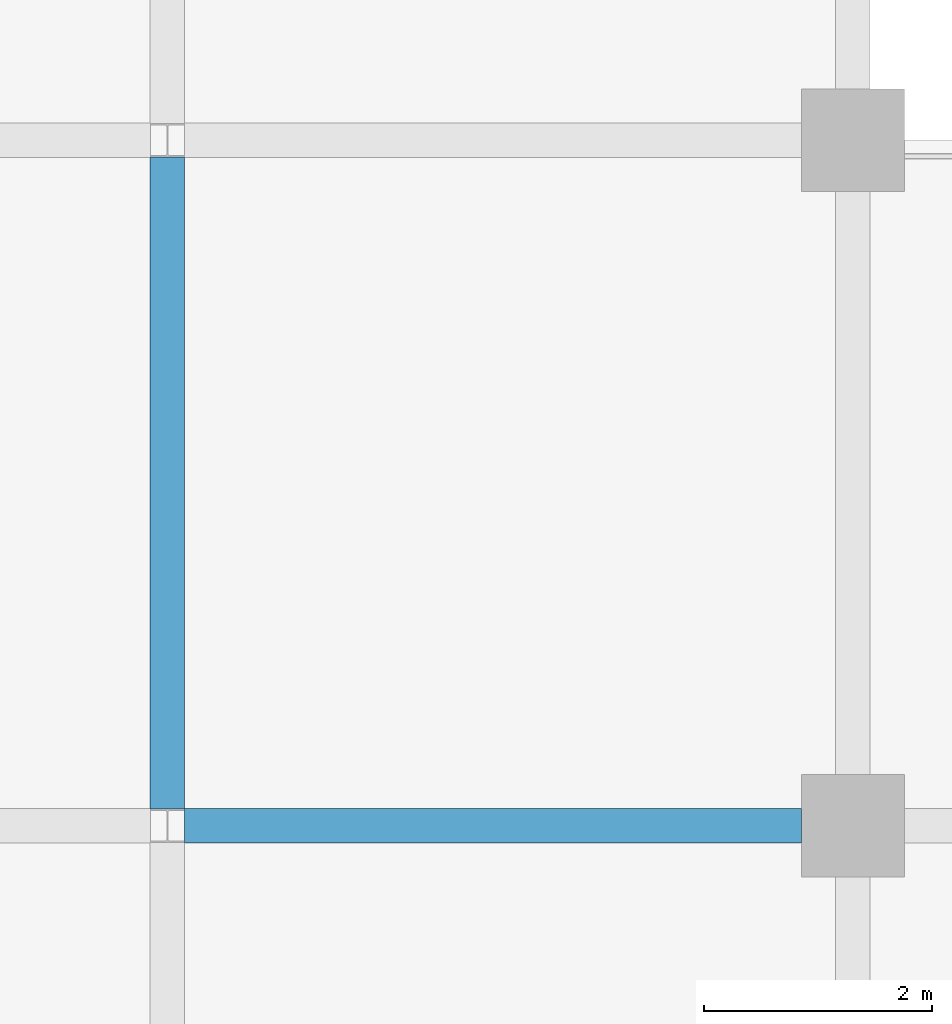
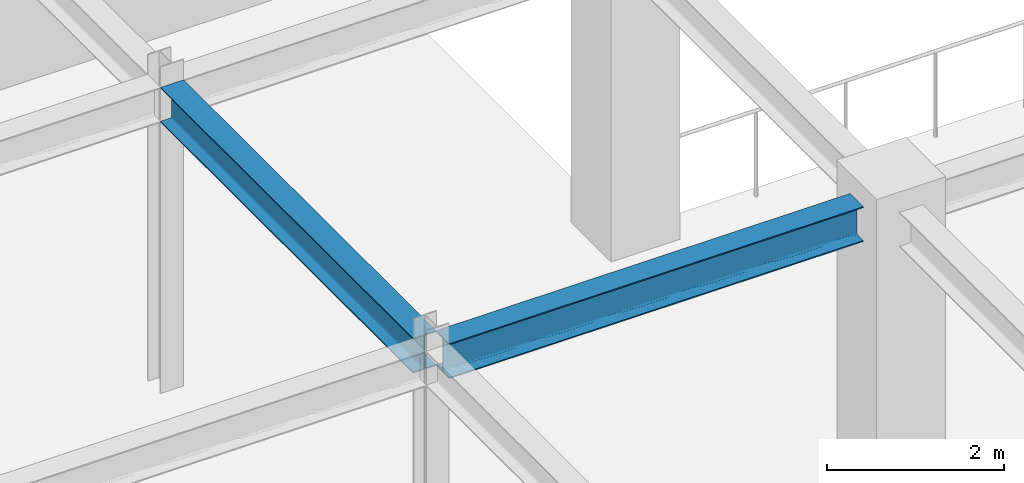
# One storey, part 47 of 108: 2 beams.
"""IFC4 building model written with IfcOpenShell, lengths in metres."""

from ifc_helpers import new_model, si_unit, direction, frame, origin, origin_2d, place, context, subcontext, project, spatial, i_section, extrude, material, material_profile, profile_set, type_object, element, save


model = new_model("IFC4")

# Units and contexts
model_context = context("Model", 3, precision=1e-05, world=origin(), true_north=direction((0.0, 1.0)))
body_context = subcontext(model_context, "Body", "Model", "MODEL_VIEW")
ifc_project = project(units=[si_unit("LENGTHUNIT", "METRE"), si_unit("AREAUNIT", "SQUARE_METRE"), si_unit("VOLUMEUNIT", "CUBIC_METRE"), si_unit("PLANEANGLEUNIT", "RADIAN"), si_unit("MASSUNIT", "GRAM", prefix="KILO")], contexts=[model_context])

# Site, building, storey
site_placement = place(None, origin())
site = spatial("IfcSite", under=ifc_project, at=site_placement, CompositionType="ELEMENT")
building_placement = place(site_placement, origin())
building = spatial("IfcBuilding", under=site, at=building_placement, Name="Zlatovratsky Civic Hall", CompositionType="ELEMENT")
storey_placement = place(building_placement, frame((0.0, 0.0, 12.0)))
storey = spatial("IfcBuildingStorey", under=building, at=storey_placement, Name="L03", CompositionType="ELEMENT", Elevation=12.0)

# Beams
ifc_material = material(Name="Steel S355", Category="steel")
ifc_material_profile = material_profile(ifc_material, i_section(OverallWidth=0.300048828125, OverallDepth=0.48193359375, WebThickness=0.010986328125, FlangeThickness=0.014892578125, FilletRadius=0.02392578125, at=origin_2d()), Name="50Sh1")
ifc_profile_set = profile_set([ifc_material_profile], Name="Steel S355")
beam_type = type_object("IfcBeamType", Name="Beam_LibraryGirder_50Sh1", PredefinedType="BEAM", material=ifc_profile_set)
beam_1_placement = place(storey_placement, frame((60.1494140625, 42.0, 3.97900390625), z_axis=(1.0, 0.0, 0.0), x_axis=(0.0, 1.0, 0.0)))
element("IfcBeam", 1, at=beam_1_placement, inside=storey, type_object=beam_type, Name="BM-2563", PredefinedType="BEAM", context=body_context, shape_type="SweptSolid", body=[
    extrude(i_section(OverallWidth=0.300048828125, OverallDepth=0.48193359375, WebThickness=0.010986328125, FlangeThickness=0.014892578125, FilletRadius=0.02392578125, at=origin_2d()), origin(), (0.0, 0.0, 1.0), 5.400634765625),
])
beam_2_placement = place(storey_placement, frame((60.0, 42.14794921875, 3.97900390625), z_axis=(0.0, 1.0, 0.0), x_axis=(-1.0, 0.0, 0.0)))
element("IfcBeam", 2, at=beam_2_placement, inside=storey, type_object=beam_type, Name="BM-2904", PredefinedType="BEAM", context=body_context, shape_type="SweptSolid", body=[
    extrude(i_section(OverallWidth=0.300048828125, OverallDepth=0.48193359375, WebThickness=0.010986328125, FlangeThickness=0.014892578125, FilletRadius=0.02392578125, at=origin_2d()), origin(), (0.0, 0.0, 1.0), 5.7041015625),
])

save(model, "model.ifc")
